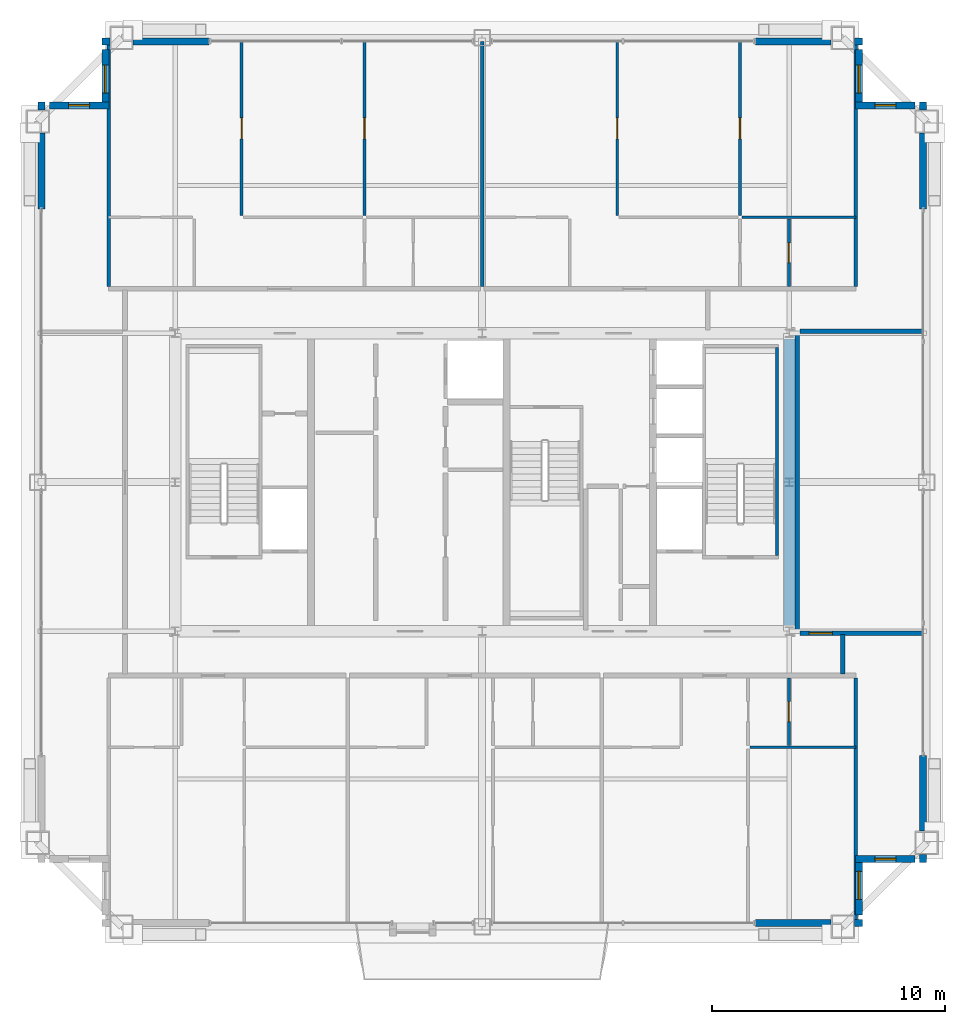
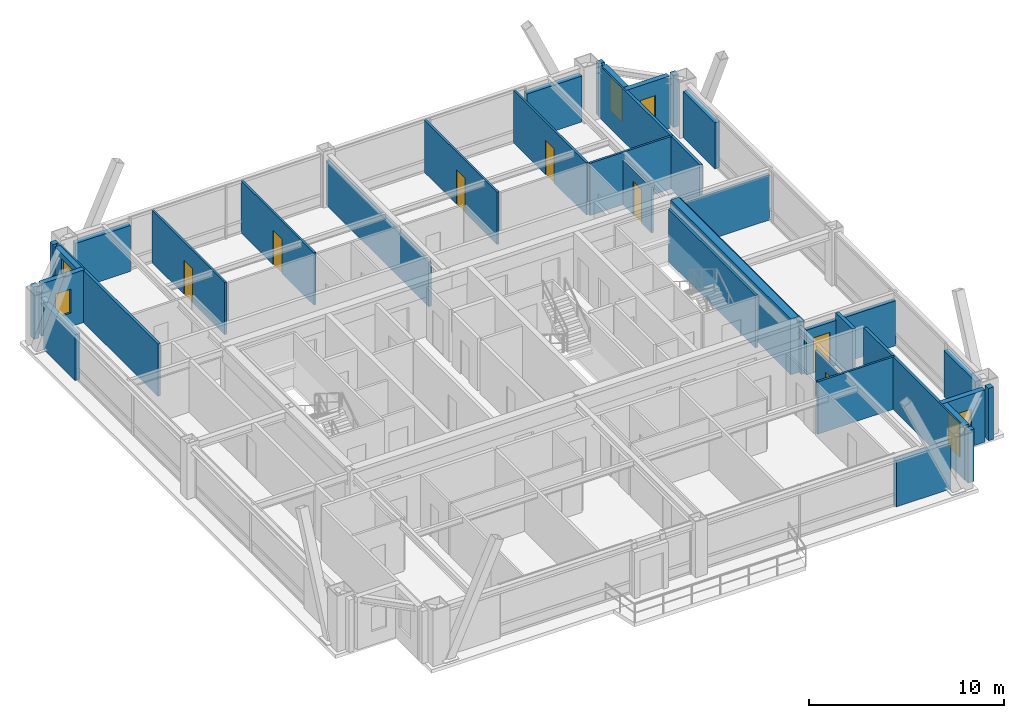
# One storey, part 33 of 35: 36 walls, 7 doors, 6 windows, 13 openings.
"""IFC4 building model written with IfcOpenShell, lengths in metres."""

from ifc_helpers import new_model, si_unit, direction, frame, frame_2d, origin, place, context, subcontext, project, spatial, rectangle, extrude, source, transform, mapped, material, layer, layer_set, type_object, element, fill, save


model = new_model("IFC4")

# Units and contexts
model_context = context("Model", 3, precision=1e-05, world=origin(), true_north=direction((0.0, 1.0)))
body_context = subcontext(model_context, "Body", "Model", "MODEL_VIEW")
ifc_project = project(units=[si_unit("LENGTHUNIT", "METRE"), si_unit("AREAUNIT", "SQUARE_METRE"), si_unit("VOLUMEUNIT", "CUBIC_METRE"), si_unit("PLANEANGLEUNIT", "RADIAN"), si_unit("MASSUNIT", "GRAM", prefix="KILO"), si_unit("THERMODYNAMICTEMPERATUREUNIT", "KELVIN"), si_unit("POWERUNIT", "WATT")], contexts=[model_context])

# Site, building, storey
site_placement = place(None, origin())
site = spatial("IfcSite", under=ifc_project, at=site_placement, CompositionType="ELEMENT")
building_placement = place(site_placement, origin())
building = spatial("IfcBuilding", under=site, at=building_placement, Name="Yuzanri Waterfront Tower", CompositionType="ELEMENT")
storey_placement = place(building_placement, frame((0.0, 0.0, 314.699951171875)))
storey = spatial("IfcBuildingStorey", under=building, at=storey_placement, Name="L84", CompositionType="ELEMENT", Elevation=314.699951171875)

# Wall, opening, door
ifc_material_1 = material(Name="Moisture-Resistant Gypsum Stud Wall", Category="gypsum")
ifc_layer_1 = layer(ifc_material_1, 0.1201171875)
ifc_layer_set_1 = layer_set([ifc_layer_1], Name="Moisture-Resistant Gypsum Stud Wall")
wall_type_1 = type_object("IfcWallType", Name="Bathroom and Kitchen Wet Partition 120", PredefinedType="PARTITIONING", material=ifc_layer_set_1)
wall_1_placement = place(storey_placement, frame((50.179931640625, 14.489990234375, 0.0), z_axis=(0.0, 0.0, 1.0), x_axis=(0.0, 1.0, 0.0)))
wall_1 = element("IfcWall", 1, at=wall_1_placement, inside=storey, type_object=wall_type_1, Name="L84 Partition UW-L84-HS3-SUB-2-W", PredefinedType="PARTITIONING", context=body_context, shape_type="SweptSolid", body=[
    extrude(rectangle(XDim=2.89990234375, YDim=0.1201171875, at=frame_2d((1.449951171875, 0.0))), origin(), (0.0, 0.0, 1.0), 2.824951171875),
])
opening_1_placement = place(wall_1_placement, frame((1.02490234375, 0.0, 0.0)))
opening_1 = element("IfcOpeningElement", 2, at=opening_1_placement, cuts=wall_1, Name="Opening ID-0850", PredefinedType="OPENING", context=body_context, shape_type="SweptSolid", body=[
    extrude(rectangle(XDim=0.85009765625, YDim=2.10009765625, at=frame_2d((0.425048828125, 1.050048828125))), frame((0.0, 0.074951171875, 0.0), z_axis=(0.0, -1.0, 0.0), x_axis=(1.0, 0.0, 0.0)), (0.0, 0.0, 1.0), 0.14990234375),
])
ifc_material_2 = material(Name="Moisture-Resistant Lacquered Timber", Category="wood")
door_type_1 = type_object("IfcDoorType", Name="En-Suite Bathroom and Kitchen Swing Door 850x2100", OperationType="NOTDEFINED", PredefinedType="DOOR", material=ifc_material_2)
shared_shape_1 = source(origin(), body_context, "Body", "SweptSolid", [
    extrude(rectangle(XDim=0.85009765625, YDim=2.10009765625, at=frame_2d((0.425048828125, 1.050048828125))), frame((0.0, 0.02490234375, 0.0), z_axis=(0.0, -1.0, 0.0), x_axis=(1.0, 0.0, 0.0)), (0.0, 0.0, 1.0), 0.050048828125),
])
door_1_placement = place(opening_1_placement, origin())
door_1 = element("IfcDoor", 3, at=door_1_placement, inside=storey, type_object=door_type_1, Name="L84 Suite Interior Room Door", OperationType="SINGLE_SWING_LEFT", OverallHeight=2.10009765625, OverallWidth=0.85009765625, PredefinedType="DOOR", context=body_context, shape_type="MappedRepresentation", body=[
    mapped(shared_shape_1, transform((0.0, 0.0, 0.0), scale=1.0)),
])
fill(opening_1, door_1)

wall_2_placement = place(storey_placement, frame((31.94189453125, 37.27001953125, 0.0), z_axis=(0.0, 0.0, 1.0), x_axis=(0.0, 1.0, 0.0)))
wall_2 = element("IfcWall", 4, at=wall_2_placement, inside=storey, type_object=wall_type_1, Name="L84 Partition UW-L84-HN1-SUB-3-W", PredefinedType="PARTITIONING", context=body_context, shape_type="SweptSolid", body=[
    extrude(rectangle(XDim=7.47998046875, YDim=0.1201171875, at=frame_2d((3.739990234375, 0.0))), origin(), (0.0, 0.0, 1.0), 3.280029296875),
])
opening_2_placement = place(wall_2_placement, frame((3.2900390625, 0.0, 0.0)))
opening_2 = element("IfcOpeningElement", 5, at=opening_2_placement, cuts=wall_2, Name="Opening ID-0900", PredefinedType="OPENING", context=body_context, shape_type="SweptSolid", body=[
    extrude(rectangle(XDim=0.89990234375, YDim=2.14990234375, at=frame_2d((0.449951171875, 1.074951171875))), frame((0.0, 0.074951171875, 0.0), z_axis=(0.0, -1.0, 0.0), x_axis=(1.0, 0.0, 0.0)), (0.0, 0.0, 1.0), 0.14990234375),
])
ifc_material_3 = material(Name="Stained Walnut Veneer Timber", Category="wood")
door_type_2 = type_object("IfcDoorType", Name="Bedroom and Study Interior Swing Door 900x2150", OperationType="NOTDEFINED", PredefinedType="DOOR", material=ifc_material_3)
shared_shape_2 = source(origin(), body_context, "Body", "SweptSolid", [
    extrude(rectangle(XDim=0.89990234375, YDim=2.14990234375, at=frame_2d((0.449951171875, 1.074951171875))), frame((0.0, 0.02490234375, 0.0), z_axis=(0.0, -1.0, 0.0), x_axis=(1.0, 0.0, 0.0)), (0.0, 0.0, 1.0), 0.050048828125),
])
door_2_placement = place(opening_2_placement, origin())
door_2 = element("IfcDoor", 6, at=door_2_placement, inside=storey, type_object=door_type_2, Name="L84 Suite Interior Room Door", OperationType="SINGLE_SWING_LEFT", OverallHeight=2.14990234375, OverallWidth=0.89990234375, PredefinedType="DOOR", context=body_context, shape_type="MappedRepresentation", body=[
    mapped(shared_shape_2, transform((0.0, 0.0, 0.0), scale=1.0)),
])
fill(opening_2, door_2)

wall_3_placement = place(storey_placement, frame((26.659912109375, 37.27001953125, 0.0), z_axis=(0.0, 0.0, 1.0), x_axis=(0.0, 1.0, 0.0)))
wall_3 = element("IfcWall", 7, at=wall_3_placement, inside=storey, type_object=wall_type_1, Name="L84 Partition UW-L84-HN1-SUB-5-W", PredefinedType="PARTITIONING", context=body_context, shape_type="SweptSolid", body=[
    extrude(rectangle(XDim=7.47998046875, YDim=0.1201171875, at=frame_2d((3.739990234375, 0.0))), origin(), (0.0, 0.0, 1.0), 3.280029296875),
])
opening_3_placement = place(wall_3_placement, frame((3.2900390625, 0.0, 0.0)))
opening_3 = element("IfcOpeningElement", 8, at=opening_3_placement, cuts=wall_3, Name="Opening ID-0900", PredefinedType="OPENING", context=body_context, shape_type="SweptSolid", body=[
    extrude(rectangle(XDim=0.89990234375, YDim=2.14990234375, at=frame_2d((0.449951171875, 1.074951171875))), frame((0.0, 0.074951171875, 0.0), z_axis=(0.0, -1.0, 0.0), x_axis=(1.0, 0.0, 0.0)), (0.0, 0.0, 1.0), 0.14990234375),
])
door_3_placement = place(opening_3_placement, origin())
door_3 = element("IfcDoor", 9, at=door_3_placement, inside=storey, type_object=door_type_2, Name="L84 Suite Interior Room Door", OperationType="SINGLE_SWING_LEFT", OverallHeight=2.14990234375, OverallWidth=0.89990234375, PredefinedType="DOOR", context=body_context, shape_type="MappedRepresentation", body=[
    mapped(shared_shape_2, transform((0.0, 0.0, 0.0), scale=1.0)),
])
fill(opening_3, door_3)

wall_4_placement = place(storey_placement, frame((50.179931640625, 34.2099609375, 0.0), z_axis=(0.0, 0.0, 1.0), x_axis=(0.0, 1.0, 0.0)))
wall_4 = element("IfcWall", 10, at=wall_4_placement, inside=storey, type_object=wall_type_1, Name="L84 Partition UW-L84-HN2-SUB-2-W", PredefinedType="PARTITIONING", context=body_context, shape_type="SweptSolid", body=[
    extrude(rectangle(XDim=2.900146484375, YDim=0.1201171875, at=frame_2d((1.4501953125, 0.0))), origin(), (0.0, 0.0, 1.0), 2.824951171875),
])
opening_4_placement = place(wall_4_placement, frame((1.02490234375, 0.0, 0.0)))
opening_4 = element("IfcOpeningElement", 11, at=opening_4_placement, cuts=wall_4, Name="Opening ID-0850", PredefinedType="OPENING", context=body_context, shape_type="SweptSolid", body=[
    extrude(rectangle(XDim=0.85009765625, YDim=2.10009765625, at=frame_2d((0.425048828125, 1.050048828125))), frame((0.0, 0.074951171875, 0.0), z_axis=(0.0, -1.0, 0.0), x_axis=(1.0, 0.0, 0.0)), (0.0, 0.0, 1.0), 0.14990234375),
])
door_4_placement = place(opening_4_placement, origin())
door_4 = element("IfcDoor", 12, at=door_4_placement, inside=storey, type_object=door_type_1, Name="L84 Suite Interior Room Door", OperationType="SINGLE_SWING_RIGHT", OverallHeight=2.10009765625, OverallWidth=0.85009765625, PredefinedType="DOOR", context=body_context, shape_type="MappedRepresentation", body=[
    mapped(shared_shape_1, transform((0.0, 0.0, 0.0), scale=1.0)),
])
fill(opening_4, door_4)

wall_5_placement = place(storey_placement, frame((48.08203125, 37.27001953125, 0.0), z_axis=(0.0, 0.0, 1.0), x_axis=(0.0, 1.0, 0.0)))
wall_5 = element("IfcWall", 13, at=wall_5_placement, inside=storey, type_object=wall_type_1, Name="L84 Partition UW-L84-HN2-SUB-3-W", PredefinedType="PARTITIONING", context=body_context, shape_type="SweptSolid", body=[
    extrude(rectangle(XDim=7.47998046875, YDim=0.1201171875, at=frame_2d((3.739990234375, 0.0))), origin(), (0.0, 0.0, 1.0), 3.280029296875),
])
opening_5_placement = place(wall_5_placement, frame((3.2900390625, 0.0, 0.0)))
opening_5 = element("IfcOpeningElement", 14, at=opening_5_placement, cuts=wall_5, Name="Opening ID-0900", PredefinedType="OPENING", context=body_context, shape_type="SweptSolid", body=[
    extrude(rectangle(XDim=0.89990234375, YDim=2.14990234375, at=frame_2d((0.449951171875, 1.074951171875))), frame((0.0, 0.074951171875, 0.0), z_axis=(0.0, -1.0, 0.0), x_axis=(1.0, 0.0, 0.0)), (0.0, 0.0, 1.0), 0.14990234375),
])
door_5_placement = place(opening_5_placement, origin())
door_5 = element("IfcDoor", 15, at=door_5_placement, inside=storey, type_object=door_type_2, Name="L84 Suite Interior Room Door", OperationType="SINGLE_SWING_LEFT", OverallHeight=2.14990234375, OverallWidth=0.89990234375, PredefinedType="DOOR", context=body_context, shape_type="MappedRepresentation", body=[
    mapped(shared_shape_2, transform((0.0, 0.0, 0.0), scale=1.0)),
])
fill(opening_5, door_5)

wall_6_placement = place(storey_placement, frame((42.800048828125, 37.27001953125, 0.0), z_axis=(0.0, 0.0, 1.0), x_axis=(0.0, 1.0, 0.0)))
wall_6 = element("IfcWall", 16, at=wall_6_placement, inside=storey, type_object=wall_type_1, Name="L84 Partition UW-L84-HN2-SUB-5-W", PredefinedType="PARTITIONING", context=body_context, shape_type="SweptSolid", body=[
    extrude(rectangle(XDim=7.47998046875, YDim=0.1201171875, at=frame_2d((3.739990234375, 0.0))), origin(), (0.0, 0.0, 1.0), 3.280029296875),
])
opening_6_placement = place(wall_6_placement, frame((3.2900390625, 0.0, 0.0)))
opening_6 = element("IfcOpeningElement", 17, at=opening_6_placement, cuts=wall_6, Name="Opening ID-0900", PredefinedType="OPENING", context=body_context, shape_type="SweptSolid", body=[
    extrude(rectangle(XDim=0.89990234375, YDim=2.14990234375, at=frame_2d((0.449951171875, 1.074951171875))), frame((0.0, 0.074951171875, 0.0), z_axis=(0.0, -1.0, 0.0), x_axis=(1.0, 0.0, 0.0)), (0.0, 0.0, 1.0), 0.14990234375),
])
door_6_placement = place(opening_6_placement, origin())
door_6 = element("IfcDoor", 18, at=door_6_placement, inside=storey, type_object=door_type_2, Name="L84 Suite Interior Room Door", OperationType="SINGLE_SWING_LEFT", OverallHeight=2.14990234375, OverallWidth=0.89990234375, PredefinedType="DOOR", context=body_context, shape_type="MappedRepresentation", body=[
    mapped(shared_shape_2, transform((0.0, 0.0, 0.0), scale=1.0)),
])
fill(opening_6, door_6)

# Wall, opening, window
ifc_material_4 = material(Name="Honed Chongqing Dark Basalt Stone", Category="masonry")
ifc_layer_2 = layer(ifc_material_4, 0.300048828125)
ifc_layer_set_2 = layer_set([ifc_layer_2], Name="Honed Chongqing Dark Basalt Stone")
wall_type_2 = type_object("IfcWallType", Name="Bronze Rainscreen Insulated Spandrel Portal Wall 300", PredefinedType="SOLIDWALL", material=ifc_layer_set_2)
wall_7_placement = place(storey_placement, frame((53.050048828125, 9.60009765625, 0.0), z_axis=(0.0, 0.0, 1.0), x_axis=(1.0, 0.0, 0.0)))
wall_7 = element("IfcWall", 19, at=wall_7_placement, inside=storey, type_object=wall_type_2, Name="L84 Notched Corner Masonry Wall SE-X", PredefinedType="SOLIDWALL", context=body_context, shape_type="SweptSolid", body=[
    extrude(rectangle(XDim=2.550048828125, YDim=0.300048828125, at=frame_2d((1.27490234375, 0.0))), origin(), (0.0, 0.0, 1.0), 3.280029296875),
])
opening_7_placement = place(wall_7_placement, frame((0.824951171875, 0.0, 0.85009765625)))
opening_7 = element("IfcOpeningElement", 20, at=opening_7_placement, cuts=wall_7, Name="Opening WN-05", PredefinedType="OPENING", context=body_context, shape_type="SweptSolid", body=[
    extrude(rectangle(XDim=0.89990234375, YDim=1.5, at=frame_2d((0.449951171875, 0.75))), frame((0.0, 0.1650390625, 0.0), z_axis=(0.0, -1.0, 0.0), x_axis=(1.0, 0.0, 0.0)), (0.0, 0.0, 1.0), 0.329833984375),
])
ifc_material_5 = material(Name="Double-Silver Low-E Insulated Glass", Category="glass")
window_type_1 = type_object("IfcWindowType", Name="Anodized Bronze Service and Stairwell Smoke-Vent Window 900x1500", PartitioningType="SINGLE_PANEL", PredefinedType="WINDOW", material=ifc_material_5)
shared_shape_3 = source(origin(), body_context, "Body", "SweptSolid", [
    extrude(rectangle(XDim=0.89990234375, YDim=1.5, at=frame_2d((0.449951171875, 0.75))), frame((0.0, 0.030029296875, 0.0), z_axis=(0.0, -1.0, 0.0), x_axis=(1.0, 0.0, 0.0)), (0.0, 0.0, 1.0), 0.06005859375),
])
window_1_placement = place(opening_7_placement, origin())
window_1 = element("IfcWindow", 21, at=window_1_placement, inside=storey, type_object=window_type_1, Name="L84 Notched Corner Window SE-X", OverallHeight=1.5, OverallWidth=0.89990234375, PartitioningType="SINGLE_PANEL", PredefinedType="WINDOW", context=body_context, shape_type="MappedRepresentation", body=[
    mapped(shared_shape_3, transform((0.0, 0.0, 0.0), scale=1.0)),
])
fill(opening_7, window_1)

wall_8_placement = place(storey_placement, frame((53.199951171875, 7.199951171875, 0.0), z_axis=(0.0, 0.0, 1.0), x_axis=(0.0, 1.0, 0.0)))
wall_8 = element("IfcWall", 22, at=wall_8_placement, inside=storey, type_object=wall_type_2, Name="L84 Notched Corner Masonry Wall SE-Y", PredefinedType="SOLIDWALL", context=body_context, shape_type="SweptSolid", body=[
    extrude(rectangle(XDim=2.550048828125, YDim=0.300048828125, at=frame_2d((1.27490234375, 0.0))), origin(), (0.0, 0.0, 1.0), 3.280029296875),
])
opening_8_placement = place(wall_8_placement, frame((0.675048828125, 0.0, 0.85009765625)))
opening_8 = element("IfcOpeningElement", 23, at=opening_8_placement, cuts=wall_8, Name="Opening WN-02", PredefinedType="OPENING", context=body_context, shape_type="SweptSolid", body=[
    extrude(rectangle(XDim=1.199951171875, YDim=2.10009765625, at=frame_2d((0.60009765625, 1.050048828125))), frame((0.0, 0.1650390625, 0.0), z_axis=(0.0, -1.0, 0.0), x_axis=(1.0, 0.0, 0.0)), (0.0, 0.0, 1.0), 0.329833984375),
])
ifc_material_6 = material(Name="Double-Silver Low-E Insulated Glass", Category="glass")
window_type_2 = type_object("IfcWindowType", Name="Anodized Bronze Notched Corner Deep-Set Slot Window 1200x2100", PartitioningType="SINGLE_PANEL", PredefinedType="WINDOW", material=ifc_material_6)
shared_shape_4 = source(origin(), body_context, "Body", "SweptSolid", [
    extrude(rectangle(XDim=1.199951171875, YDim=2.10009765625, at=frame_2d((0.60009765625, 1.050048828125))), frame((0.0, 0.030029296875, 0.0), z_axis=(0.0, -1.0, 0.0), x_axis=(1.0, 0.0, 0.0)), (0.0, 0.0, 1.0), 0.06005859375),
])
window_2_placement = place(opening_8_placement, origin())
window_2 = element("IfcWindow", 24, at=window_2_placement, inside=storey, type_object=window_type_2, Name="L84 Notched Corner Window SE-Y", OverallHeight=2.10009765625, OverallWidth=1.199951171875, PartitioningType="SINGLE_PANEL", PredefinedType="WINDOW", context=body_context, shape_type="MappedRepresentation", body=[
    mapped(shared_shape_4, transform((0.0, 0.0, 0.0), scale=1.0)),
])
fill(opening_8, window_2)

wall_9_placement = place(storey_placement, frame((20.949951171875, 42.0, 0.0), z_axis=(0.0, 0.0, 1.0), x_axis=(-1.0, 0.0, 0.0)))
wall_9 = element("IfcWall", 25, at=wall_9_placement, inside=storey, type_object=wall_type_2, Name="L84 Notched Corner Masonry Wall NW-X", PredefinedType="SOLIDWALL", context=body_context, shape_type="SweptSolid", body=[
    extrude(rectangle(XDim=2.550048828125, YDim=0.300048828125, at=frame_2d((1.27490234375, 0.0))), origin(), (0.0, 0.0, 1.0), 3.280029296875),
])
opening_9_placement = place(wall_9_placement, frame((0.824951171875, 0.0, 0.85009765625)))
opening_9 = element("IfcOpeningElement", 26, at=opening_9_placement, cuts=wall_9, Name="Opening WN-05", PredefinedType="OPENING", context=body_context, shape_type="SweptSolid", body=[
    extrude(rectangle(XDim=0.89990234375, YDim=1.5, at=frame_2d((0.449951171875, 0.75))), frame((0.0, 0.1650390625, 0.0), z_axis=(0.0, -1.0, 0.0), x_axis=(1.0, 0.0, 0.0)), (0.0, 0.0, 1.0), 0.329833984375),
])
window_3_placement = place(opening_9_placement, origin())
window_3 = element("IfcWindow", 27, at=window_3_placement, inside=storey, type_object=window_type_1, Name="L84 Notched Corner Window NW-X", OverallHeight=1.5, OverallWidth=0.89990234375, PartitioningType="SINGLE_PANEL", PredefinedType="WINDOW", context=body_context, shape_type="MappedRepresentation", body=[
    mapped(shared_shape_3, transform((0.0, 0.0, 0.0), scale=1.0)),
])
fill(opening_9, window_3)

wall_10_placement = place(storey_placement, frame((20.800048828125, 44.39990234375, 0.0), z_axis=(0.0, 0.0, 1.0), x_axis=(0.0, -1.0, 0.0)))
wall_10 = element("IfcWall", 28, at=wall_10_placement, inside=storey, type_object=wall_type_2, Name="L84 Notched Corner Masonry Wall NW-Y", PredefinedType="SOLIDWALL", context=body_context, shape_type="SweptSolid", body=[
    extrude(rectangle(XDim=2.5498046875, YDim=0.300048828125, at=frame_2d((1.27490234375, 0.0))), origin(), (0.0, 0.0, 1.0), 3.280029296875),
])
opening_10_placement = place(wall_10_placement, frame((0.675048828125, 0.0, 0.85009765625)))
opening_10 = element("IfcOpeningElement", 29, at=opening_10_placement, cuts=wall_10, Name="Opening WN-02", PredefinedType="OPENING", context=body_context, shape_type="SweptSolid", body=[
    extrude(rectangle(XDim=1.199951171875, YDim=2.10009765625, at=frame_2d((0.60009765625, 1.050048828125))), frame((0.0, 0.1650390625, 0.0), z_axis=(0.0, -1.0, 0.0), x_axis=(1.0, 0.0, 0.0)), (0.0, 0.0, 1.0), 0.329833984375),
])
window_4_placement = place(opening_10_placement, origin())
window_4 = element("IfcWindow", 30, at=window_4_placement, inside=storey, type_object=window_type_2, Name="L84 Notched Corner Window NW-Y", OverallHeight=2.10009765625, OverallWidth=1.199951171875, PartitioningType="SINGLE_PANEL", PredefinedType="WINDOW", context=body_context, shape_type="MappedRepresentation", body=[
    mapped(shared_shape_4, transform((0.0, 0.0, 0.0), scale=1.0)),
])
fill(opening_10, window_4)

wall_11_placement = place(storey_placement, frame((55.60009765625, 42.0, 0.0), z_axis=(0.0, 0.0, 1.0), x_axis=(-1.0, 0.0, 0.0)))
wall_11 = element("IfcWall", 31, at=wall_11_placement, inside=storey, type_object=wall_type_2, Name="L84 Notched Corner Masonry Wall NE-X", PredefinedType="SOLIDWALL", context=body_context, shape_type="SweptSolid", body=[
    extrude(rectangle(XDim=2.550048828125, YDim=0.300048828125, at=frame_2d((1.27490234375, 0.0))), origin(), (0.0, 0.0, 1.0), 3.280029296875),
])
opening_11_placement = place(wall_11_placement, frame((0.824951171875, 0.0, 0.85009765625)))
opening_11 = element("IfcOpeningElement", 32, at=opening_11_placement, cuts=wall_11, Name="Opening WN-05", PredefinedType="OPENING", context=body_context, shape_type="SweptSolid", body=[
    extrude(rectangle(XDim=0.89990234375, YDim=1.5, at=frame_2d((0.449951171875, 0.75))), frame((0.0, 0.1650390625, 0.0), z_axis=(0.0, -1.0, 0.0), x_axis=(1.0, 0.0, 0.0)), (0.0, 0.0, 1.0), 0.329833984375),
])
window_5_placement = place(opening_11_placement, origin())
window_5 = element("IfcWindow", 33, at=window_5_placement, inside=storey, type_object=window_type_1, Name="L84 Notched Corner Window NE-X", OverallHeight=1.5, OverallWidth=0.89990234375, PartitioningType="SINGLE_PANEL", PredefinedType="WINDOW", context=body_context, shape_type="MappedRepresentation", body=[
    mapped(shared_shape_3, transform((0.0, 0.0, 0.0), scale=1.0)),
])
fill(opening_11, window_5)

wall_12_placement = place(storey_placement, frame((53.199951171875, 41.85009765625, 0.0), z_axis=(0.0, 0.0, 1.0), x_axis=(0.0, 1.0, 0.0)))
wall_12 = element("IfcWall", 34, at=wall_12_placement, inside=storey, type_object=wall_type_2, Name="L84 Notched Corner Masonry Wall NE-Y", PredefinedType="SOLIDWALL", context=body_context, shape_type="SweptSolid", body=[
    extrude(rectangle(XDim=2.5498046875, YDim=0.300048828125, at=frame_2d((1.27490234375, 0.0))), origin(), (0.0, 0.0, 1.0), 3.280029296875),
])
opening_12_placement = place(wall_12_placement, frame((0.675048828125, 0.0, 0.85009765625)))
opening_12 = element("IfcOpeningElement", 35, at=opening_12_placement, cuts=wall_12, Name="Opening WN-02", PredefinedType="OPENING", context=body_context, shape_type="SweptSolid", body=[
    extrude(rectangle(XDim=1.199951171875, YDim=2.10009765625, at=frame_2d((0.60009765625, 1.050048828125))), frame((0.0, 0.1650390625, 0.0), z_axis=(0.0, -1.0, 0.0), x_axis=(1.0, 0.0, 0.0)), (0.0, 0.0, 1.0), 0.329833984375),
])
window_6_placement = place(opening_12_placement, origin())
window_6 = element("IfcWindow", 36, at=window_6_placement, inside=storey, type_object=window_type_2, Name="L84 Notched Corner Window NE-Y", OverallHeight=2.10009765625, OverallWidth=1.199951171875, PartitioningType="SINGLE_PANEL", PredefinedType="WINDOW", context=body_context, shape_type="MappedRepresentation", body=[
    mapped(shared_shape_4, transform((0.0, 0.0, 0.0), scale=1.0)),
])
fill(opening_12, window_6)

# Wall, opening, door
ifc_material_7 = material(Name="Autoclaved Aerated Concrete Blockwork", Category="masonry")
ifc_layer_3 = layer(ifc_material_7, 0.199951171875)
ifc_layer_set_3 = layer_set([ifc_layer_3], Name="Autoclaved Aerated Concrete Blockwork")
wall_type_3 = type_object("IfcWallType", Name="Corridor and Unit Party Fire Wall 200", PredefinedType="PARTITIONING", material=ifc_layer_set_3)
wall_13_placement = place(storey_placement, frame((50.64990234375, 19.31005859375, 0.0), z_axis=(0.0, 0.0, 1.0), x_axis=(1.0, 0.0, 0.0)))
wall_13 = element("IfcWall", 37, at=wall_13_placement, inside=storey, type_object=wall_type_3, Name="L84 Partition UW-L84-048-CS", PredefinedType="PARTITIONING", context=body_context, shape_type="SweptSolid", body=[
    extrude(rectangle(XDim=5.300048828125, YDim=0.199951171875, at=frame_2d((2.64990234375, 0.0))), origin(), (0.0, 0.0, 1.0), 2.824951171875),
])
opening_13_placement = place(wall_13_placement, frame((0.39990234375, 0.0, 0.0)))
opening_13 = element("IfcOpeningElement", 38, at=opening_13_placement, cuts=wall_13, Name="Opening FD-1000", PredefinedType="OPENING", context=body_context, shape_type="SweptSolid", body=[
    extrude(rectangle(XDim=1.0, YDim=2.199951171875, at=frame_2d((0.5, 1.10009765625))), frame((0.0, 0.11474609375, 0.0), z_axis=(0.0, -1.0, 0.0), x_axis=(1.0, 0.0, 0.0)), (0.0, 0.0, 1.0), 0.229736328125),
])
ifc_material_8 = material(Name="Engineered Oak Fire-Rated Timber", Category="wood")
door_type_3 = type_object("IfcDoorType", Name="Guestroom and Apartment Entrance Fire Door 1000x2200", OperationType="NOTDEFINED", PredefinedType="DOOR", material=ifc_material_8)
shared_shape_5 = source(origin(), body_context, "Body", "SweptSolid", [
    extrude(rectangle(XDim=1.0, YDim=2.199951171875, at=frame_2d((0.5, 1.10009765625))), frame((0.0, 0.02490234375, 0.0), z_axis=(0.0, -1.0, 0.0), x_axis=(1.0, 0.0, 0.0)), (0.0, 0.0, 1.0), 0.050048828125),
])
door_7_placement = place(opening_13_placement, origin())
door_7 = element("IfcDoor", 39, at=door_7_placement, inside=storey, type_object=door_type_3, Name="L84 High-Rise E Horizon Club Room Entrance Door", OperationType="SINGLE_SWING_LEFT", OverallHeight=2.199951171875, OverallWidth=1.0, PredefinedType="DOOR", context=body_context, shape_type="MappedRepresentation", body=[
    mapped(shared_shape_5, transform((0.0, 0.0, 0.0), scale=1.0)),
])
fill(opening_13, door_7)

# Walls
ifc_material_9 = material(Name="Concrete C45", Category="concrete")
ifc_layer_4 = layer(ifc_material_9, 0.47998046875)
ifc_layer_set_4 = layer_set([ifc_layer_4], Name="Concrete C45")
wall_type_4 = type_object("IfcWallType", Name="Concrete C45 High-Rise Core Shear Wall 480", PredefinedType="SHEAR", material=ifc_layer_set_4)
shared_shape_6 = source(origin(), body_context, "Body", "SweptSolid", [
    extrude(rectangle(XDim=12.320068359375, YDim=0.47998046875, at=frame_2d((6.16015625, 0.0))), origin(), (0.0, 0.0, 1.0), 3.5),
])
wall_14_placement = place(storey_placement, frame((50.199951171875, 19.639892578125, 0.0), z_axis=(0.0, 0.0, 1.0), x_axis=(0.0, 1.0, 0.0)))
element("IfcWall", 40, at=wall_14_placement, inside=storey, type_object=wall_type_4, Name="L84 Core East Shear Wall", PredefinedType="SHEAR", context=body_context, shape_type="MappedRepresentation", body=[
    mapped(shared_shape_6, transform((0.0, 0.0, 0.0), scale=1.0)),
])
shared_shape_7 = source(origin(), body_context, "Body", "SweptSolid", [
    extrude(rectangle(XDim=3.25, YDim=0.300048828125, at=frame_2d((1.625, 0.0))), origin(), (0.0, 0.0, 1.0), 2.885009765625),
])
for number, where, z_axis, x_axis, name in (
    (41, (48.75, 6.85009765625, 0.0), (0.0, 0.0, 1.0), (1.0, 0.0, 0.0), "L84 S Right Braced Masonry Shoulder"),
    (42, (22.0, 44.75, 0.0), (0.0, 0.0, 1.0), (1.0, 0.0, 0.0), "L84 N Left Braced Masonry Shoulder"),
    (43, (48.75, 44.75, 0.0), (0.0, 0.0, 1.0), (1.0, 0.0, 0.0), "L84 N Right Braced Masonry Shoulder"),
    (44, (18.050048828125, 37.550048828125, 0.0), (0.0, 0.0, 1.0), (0.0, 1.0, 0.0), "L84 W Right Braced Masonry Shoulder"),
    (45, (55.949951171875, 10.800048828125, 0.0), (0.0, 0.0, 1.0), (0.0, 1.0, 0.0), "L84 E Left Braced Masonry Shoulder"),
    (46, (55.949951171875, 37.550048828125, 0.0), (0.0, 0.0, 1.0), (0.0, 1.0, 0.0), "L84 E Right Braced Masonry Shoulder"),
):
    element("IfcWall", number, at=place(storey_placement, frame(where, z_axis=z_axis, x_axis=x_axis)), inside=storey, type_object=wall_type_2, Name=name, PredefinedType="SOLIDWALL", context=body_context, shape_type="MappedRepresentation", body=[
        mapped(shared_shape_7, transform((0.0, 0.0, 0.0), scale=1.0)),
    ])
shared_shape_8 = source(origin(), body_context, "Body", "SweptSolid", [
    extrude(rectangle(XDim=0.35009765625, YDim=0.300048828125, at=frame_2d((0.175048828125, 0.0))), origin(), (0.0, 0.0, 1.0), 3.280029296875),
])
for number, where, z_axis, x_axis, name in (
    (47, (53.0, 6.85009765625, 0.0), (0.0, 0.0, 1.0), (1.0, 0.0, 0.0), "L84 Corner Column Shoulder Return CSE"),
    (48, (20.64990234375, 44.75, 0.0), (0.0, 0.0, 1.0), (1.0, 0.0, 0.0), "L84 Corner Column Shoulder Return CNW"),
    (49, (53.0, 44.75, 0.0), (0.0, 0.0, 1.0), (1.0, 0.0, 0.0), "L84 Corner Column Shoulder Return CNE"),
    (50, (55.949951171875, 9.449951171875, 0.0), (0.0, 0.0, 1.0), (0.0, 1.0, 0.0), "L84 Corner Column Shoulder Return CES"),
):
    element("IfcWall", number, at=place(storey_placement, frame(where, z_axis=z_axis, x_axis=x_axis)), inside=storey, type_object=wall_type_2, Name=name, PredefinedType="SOLIDWALL", context=body_context, shape_type="MappedRepresentation", body=[
        mapped(shared_shape_8, transform((0.0, 0.0, 0.0), scale=1.0)),
    ])
shared_shape_9 = source(origin(), body_context, "Body", "SweptSolid", [
    extrude(rectangle(XDim=0.349853515625, YDim=0.300048828125, at=frame_2d((0.1748046875, 0.0))), origin(), (0.0, 0.0, 1.0), 3.280029296875),
])
for number, where, z_axis, x_axis, name in (
    (51, (18.050048828125, 41.800048828125, 0.0), (0.0, 0.0, 1.0), (0.0, 1.0, 0.0), "L84 Corner Column Shoulder Return CWN"),
    (52, (55.949951171875, 41.800048828125, 0.0), (0.0, 0.0, 1.0), (0.0, 1.0, 0.0), "L84 Corner Column Shoulder Return CEN"),
):
    element("IfcWall", number, at=place(storey_placement, frame(where, z_axis=z_axis, x_axis=x_axis)), inside=storey, type_object=wall_type_2, Name=name, PredefinedType="SOLIDWALL", context=body_context, shape_type="MappedRepresentation", body=[
        mapped(shared_shape_9, transform((0.0, 0.0, 0.0), scale=1.0)),
    ])
ifc_material_10 = material(Name="Concrete C40", Category="concrete")
ifc_layer_5 = layer(ifc_material_10, 0.139892578125)
ifc_layer_set_5 = layer_set([ifc_layer_5], Name="Concrete C40")
wall_type_5 = type_object("IfcWallType", Name="Core Stair Liner and Hoistway Shaft Wall 140", PredefinedType="SOLIDWALL", material=ifc_layer_set_5)
shared_shape_10 = source(origin(), body_context, "Body", "SweptSolid", [
    extrude(rectangle(XDim=8.940185546875, YDim=0.139892578125, at=frame_2d((4.47021484375, 0.0))), origin(), (0.0, 0.0, 1.0), 3.280029296875),
])
wall_15_placement = place(storey_placement, frame((49.669921875, 22.639892578125, 0.0), z_axis=(0.0, 0.0, 1.0), x_axis=(0.0, 1.0, 0.0)))
element("IfcWall", 53, at=wall_15_placement, inside=storey, type_object=wall_type_5, Name="L84 Stair ST-02 East Shaft Wall", PredefinedType="SOLIDWALL", context=body_context, shape_type="MappedRepresentation", body=[
    mapped(shared_shape_10, transform((0.0, 0.0, 0.0), scale=1.0)),
])
shared_shape_11 = source(origin(), body_context, "Body", "SweptSolid", [
    extrude(rectangle(XDim=12.780029296875, YDim=0.199951171875, at=frame_2d((6.39013671875, 0.0))), origin(), (0.0, 0.0, 1.0), 3.280029296875),
])
wall_16_placement = place(storey_placement, frame((50.544921875, 19.409912109375, 0.0), z_axis=(0.0, 0.0, 1.0), x_axis=(0.0, 1.0, 0.0)))
element("IfcWall", 54, at=wall_16_placement, inside=storey, type_object=wall_type_3, Name="L84-048 Wing Inner Core-Side Wall", PredefinedType="PARTITIONING", context=body_context, shape_type="MappedRepresentation", body=[
    mapped(shared_shape_11, transform((0.0, 0.0, 0.0), scale=1.0)),
])
shared_shape_12 = source(origin(), body_context, "Body", "SweptSolid", [
    extrude(rectangle(XDim=5.300048828125, YDim=0.199951171875, at=frame_2d((2.64990234375, 0.0))), origin(), (0.0, 0.0, 1.0), 2.824951171875),
])
wall_17_placement = place(storey_placement, frame((50.64990234375, 32.2900390625, 0.0), z_axis=(0.0, 0.0, 1.0), x_axis=(1.0, 0.0, 0.0)))
element("IfcWall", 55, at=wall_17_placement, inside=storey, type_object=wall_type_3, Name="L84-048 Wing North Wall", PredefinedType="PARTITIONING", context=body_context, shape_type="MappedRepresentation", body=[
    mapped(shared_shape_12, transform((0.0, 0.0, 0.0), scale=1.0)),
])
shared_shape_13 = source(origin(), body_context, "Body", "SweptSolid", [
    extrude(rectangle(XDim=1.699951171875, YDim=0.199951171875, at=frame_2d((0.85009765625, 0.0))), origin(), (0.0, 0.0, 1.0), 3.280029296875),
])
wall_18_placement = place(storey_placement, frame((52.5, 17.550048828125, 0.0), z_axis=(0.0, 0.0, 1.0), x_axis=(0.0, 1.0, 0.0)))
element("IfcWall", 56, at=wall_18_placement, inside=storey, type_object=wall_type_3, Name="L84 South Foyer East End Wall", PredefinedType="PARTITIONING", context=body_context, shape_type="MappedRepresentation", body=[
    mapped(shared_shape_13, transform((0.0, 0.0, 0.0), scale=1.0)),
])
ifc_material_11 = material(Name="Gypsum Fireboard Acoustic Stud Wall", Category="gypsum")
ifc_layer_6 = layer(ifc_material_11, 0.159912109375)
ifc_layer_set_6 = layer_set([ifc_layer_6], Name="Gypsum Fireboard Acoustic Stud Wall")
wall_type_6 = type_object("IfcWallType", Name="Acoustic Suite Demising Partition 160", PredefinedType="PARTITIONING", material=ifc_layer_set_6)
shared_shape_14 = source(origin(), body_context, "Body", "SweptSolid", [
    extrude(rectangle(XDim=10.389892578125, YDim=0.159912109375, at=frame_2d((5.19482421875, 0.0))), origin(), (0.0, 0.0, 1.0), 3.280029296875),
])
wall_19_placement = place(storey_placement, frame((53.050048828125, 7.0, 0.0), z_axis=(0.0, 0.0, 1.0), x_axis=(0.0, 1.0, 0.0)))
element("IfcWall", 57, at=wall_19_placement, inside=storey, type_object=wall_type_6, Name="L84 South Band East End Wall", PredefinedType="PARTITIONING", context=body_context, shape_type="MappedRepresentation", body=[
    mapped(shared_shape_14, transform((0.0, 0.0, 0.0), scale=1.0)),
])
shared_shape_15 = source(origin(), body_context, "Body", "SweptSolid", [
    extrude(rectangle(XDim=4.552978515625, YDim=0.1201171875, at=frame_2d((2.2763671875, 0.0))), origin(), (0.0, 0.0, 1.0), 3.280029296875),
])
wall_20_placement = place(storey_placement, frame((48.507080078125, 14.409912109375, 0.0), z_axis=(0.0, 0.0, 1.0), x_axis=(1.0, 0.0, 0.0)))
element("IfcWall", 58, at=wall_20_placement, inside=storey, type_object=wall_type_1, Name="L84 Partition UW-L84-HS3-SUB-3-N", PredefinedType="PARTITIONING", context=body_context, shape_type="MappedRepresentation", body=[
    mapped(shared_shape_15, transform((0.0, 0.0, 0.0), scale=1.0)),
])
shared_shape_16 = source(origin(), body_context, "Body", "SweptSolid", [
    extrude(rectangle(XDim=10.5400390625, YDim=0.159912109375, at=frame_2d((5.27001953125, 0.0))), origin(), (0.0, 0.0, 1.0), 2.787109375),
])
wall_21_placement = place(storey_placement, frame((37.0, 34.2099609375, 0.0), z_axis=(0.0, 0.0, 1.0), x_axis=(0.0, 1.0, 0.0)))
element("IfcWall", 59, at=wall_21_placement, inside=storey, type_object=wall_type_6, Name="L84-HN1 Party Wall", PredefinedType="PARTITIONING", context=body_context, shape_type="MappedRepresentation", body=[
    mapped(shared_shape_16, transform((0.0, 0.0, 0.0), scale=1.0)),
])
shared_shape_17 = source(origin(), body_context, "Body", "SweptSolid", [
    extrude(rectangle(XDim=4.89794921875, YDim=0.1201171875, at=frame_2d((2.448974609375, 0.0))), origin(), (0.0, 0.0, 1.0), 3.280029296875),
])
wall_22_placement = place(storey_placement, frame((48.162109375, 37.18994140625, 0.0), z_axis=(0.0, 0.0, 1.0), x_axis=(1.0, 0.0, 0.0)))
element("IfcWall", 60, at=wall_22_placement, inside=storey, type_object=wall_type_1, Name="L84 Partition UW-L84-HN2-SUB-3-S", PredefinedType="PARTITIONING", context=body_context, shape_type="MappedRepresentation", body=[
    mapped(shared_shape_17, transform((0.0, 0.0, 0.0), scale=1.0)),
])
shared_shape_18 = source(origin(), body_context, "Body", "SweptSolid", [
    extrude(rectangle(XDim=10.39013671875, YDim=0.159912109375, at=frame_2d((5.195068359375, 0.0))), origin(), (0.0, 0.0, 1.0), 3.280029296875),
])
for number, where, z_axis, x_axis, name in (
    (61, (20.949951171875, 34.2099609375, 0.0), (0.0, 0.0, 1.0), (0.0, 1.0, 0.0), "L84 North Band West End Wall"),
    (62, (53.050048828125, 34.2099609375, 0.0), (0.0, 0.0, 1.0), (0.0, 1.0, 0.0), "L84 North Band East End Wall"),
):
    element("IfcWall", number, at=place(storey_placement, frame(where, z_axis=z_axis, x_axis=x_axis)), inside=storey, type_object=wall_type_6, Name=name, PredefinedType="PARTITIONING", context=body_context, shape_type="MappedRepresentation", body=[
        mapped(shared_shape_18, transform((0.0, 0.0, 0.0), scale=1.0)),
    ])

save(model, "model.ifc")
